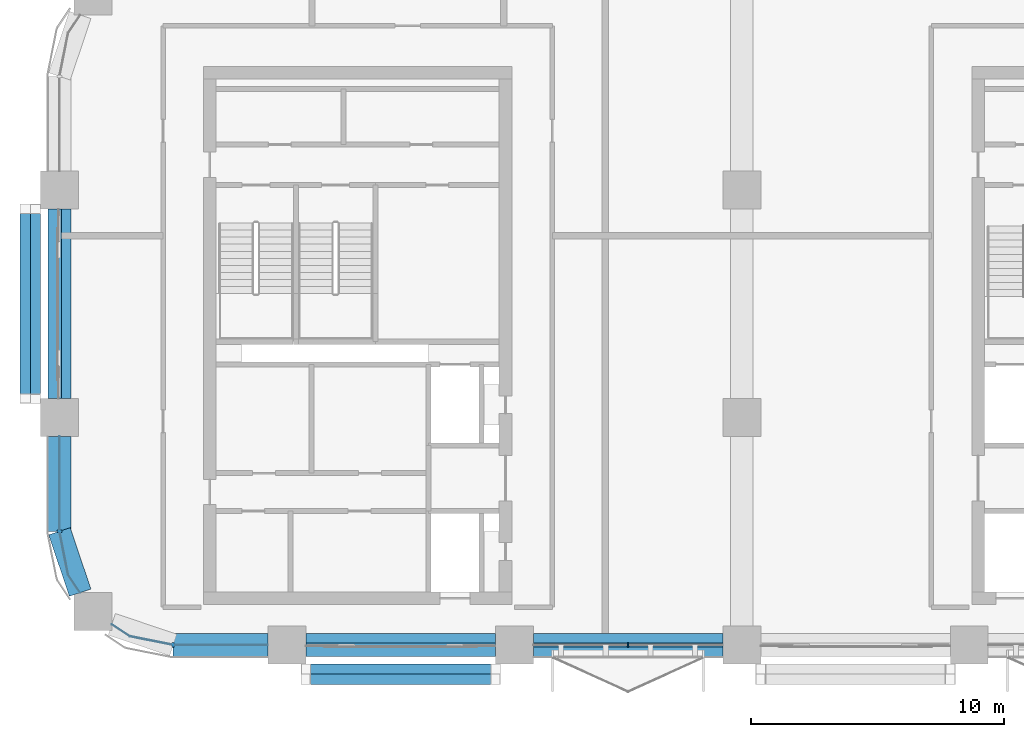
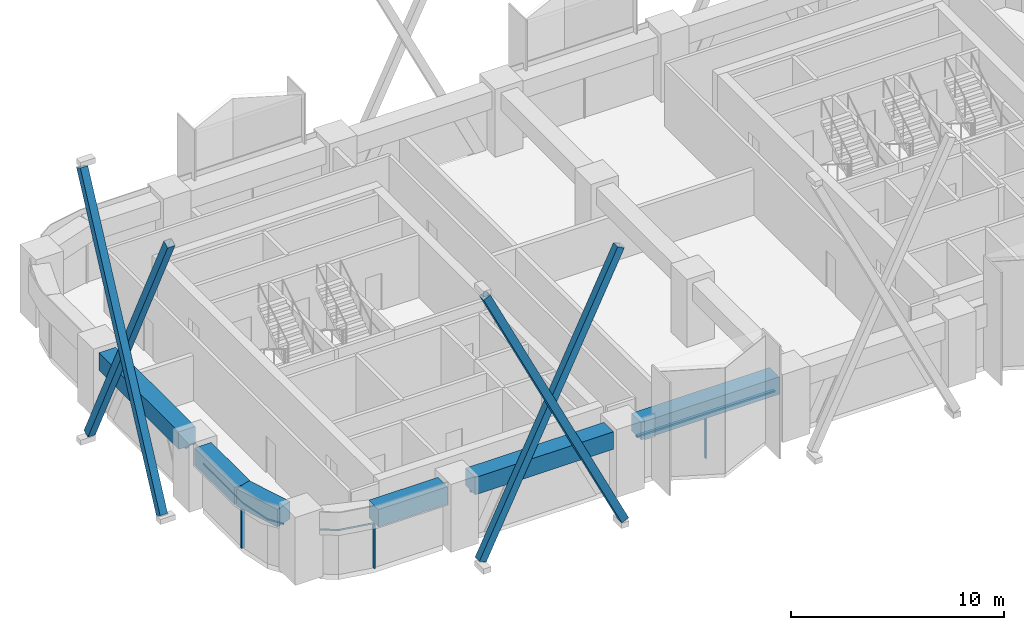
# One storey, part 2 of 14: 12 members, 6 beams, 5 elements without a shape of their own.
"""IFC4 building model written with IfcOpenShell, lengths in metres."""

from ifc_helpers import new_model, si_unit, direction, frame, origin, origin_2d, place, context, subcontext, project, spatial, polyline, rectangle, hollow_rectangle, outline, extrude, material, material_profile, profile_set, type_object, element, aggregate, save


model = new_model("IFC4")

# Units and contexts
model_context = context("Model", 3, precision=1e-05, world=origin(), true_north=direction((0.0, 1.0)))
body_context = subcontext(model_context, "Body", "Model", "MODEL_VIEW")
ifc_project = project(units=[si_unit("LENGTHUNIT", "METRE"), si_unit("AREAUNIT", "SQUARE_METRE"), si_unit("VOLUMEUNIT", "CUBIC_METRE"), si_unit("PLANEANGLEUNIT", "RADIAN"), si_unit("MASSUNIT", "GRAM", prefix="KILO")], contexts=[model_context])

# Site, building, storey
site_placement = place(None, origin())
site = spatial("IfcSite", under=ifc_project, at=site_placement, CompositionType="ELEMENT")
building_placement = place(site_placement, origin())
building = spatial("IfcBuilding", under=site, at=building_placement, Name="Tessera Arch", CompositionType="ELEMENT")
storey_placement = place(building_placement, frame((0.0, 0.0, 181.699951171875)))
storey = spatial("IfcBuildingStorey", under=building, at=storey_placement, Name="L43", CompositionType="ELEMENT", Elevation=181.699951171875)

# Members
ifc_material_1 = material(Name="Steel A500 Gr C", Category="steel")
ifc_material_profile_1 = material_profile(ifc_material_1, hollow_rectangle(XDim=0.406494140625, YDim=0.406494140625, WallThickness=0.0146484375, at=origin_2d()), Name="HSS16x16x5/8")
ifc_profile_set_1 = profile_set([ifc_material_profile_1], Name="Steel A500 Gr C")
member_type_1 = type_object("IfcMemberType", Name="Brace HSS16x16x5/8 Steel A500 Gr C", PredefinedType="BRACE", material=ifc_profile_set_1)
for number, where, z_axis, x_axis, name in (
    (1, (-0.953125, 44.25, -0.800048828125), (0.0, -0.437845074659, 0.899050438294), (1.0, 0.0, 0.0), "Brace W0.27-1 A L43-L46"),
    (2, (-1.359619140625, 36.75, -0.800048828125), (0.0, 0.437845074659, 0.899050438294), (-1.0, 0.0, 0.0), "Brace W0.27-1 B L43-L46"),
    (3, (9.75, 26.046875, -0.800048828125), (0.437845074659, 0.0, 0.899050438294), (0.0, 1.0, 0.0), "Brace S27.0-1 A L43-L46"),
    (4, (17.25, 25.640380859375, -0.800048828125), (-0.437845074659, 0.0, 0.899050438294), (0.0, -1.0, 0.0), "Brace S27.0-1 B L43-L46"),
):
    element("IfcMember", number, at=place(storey_placement, frame(where, z_axis=z_axis, x_axis=x_axis)), inside=storey, type_object=member_type_1, Name=name, PredefinedType="BRACE", context=body_context, shape_type="SweptSolid", body=[
        extrude(hollow_rectangle(XDim=0.406494140625, YDim=0.406494140625, WallThickness=0.0146484375, at=origin_2d()), origin(), (0.0, 0.0, 1.0), 17.12939453125),
    ])

# Curtain wall, members
ifc_material_2 = material(Name="CW1 curtain wall")
curtain_wall_type_1 = type_object("IfcCurtainWallType", Name="CW1 curtain wall", PredefinedType="NOTDEFINED", material=ifc_material_2)
curtain_wall_1_placement = place(storey_placement, origin())
curtain_wall_1 = element("IfcCurtainWall", 5, at=curtain_wall_1_placement, inside=storey, type_object=curtain_wall_type_1, Name="CW1 curtain wall S27.0/2 L43", PredefinedType="NOTDEFINED")
ifc_material_3 = material(Name="Anodised aluminium pale metal", Category="aluminium")
ifc_material_profile_2 = material_profile(ifc_material_3, rectangle(XDim=0.159912109375, YDim=0.06005859375, at=origin_2d()), Name="AL 60x160")
ifc_profile_set_2 = profile_set([ifc_material_profile_2], Name="Anodised aluminium pale metal")
member_type_2 = type_object("IfcMemberType", Name="CW1 mullion", PredefinedType="MULLION", material=ifc_profile_set_2)
member_1_placement = place(storey_placement, frame((22.5, 27.0, 0.0), z_axis=(0.0, 0.0, 1.0), x_axis=(0.0, 1.0, 0.0)))
member_1 = element("IfcMember", 6, at=member_1_placement, type_object=member_type_2, Name="CW1 mullion S27.0/2 1", PredefinedType="MULLION", context=body_context, shape_type="SweptSolid", body=[
    extrude(rectangle(XDim=0.159912109375, YDim=0.06005859375, at=origin_2d()), origin(), (0.0, 0.0, 1.0), 2.5),
])
ifc_material_4 = material(Name="Anodised aluminium pale metal", Category="aluminium")
ifc_material_profile_3 = material_profile(ifc_material_4, rectangle(XDim=0.159912109375, YDim=0.10009765625, at=origin_2d()), Name="AL 160x100")
ifc_profile_set_3 = profile_set([ifc_material_profile_3], Name="Anodised aluminium pale metal")
member_type_3 = type_object("IfcMemberType", Name="CW1 transom", PredefinedType="USERDEFINED", material=ifc_profile_set_3)
member_2_placement = place(storey_placement, frame((18.75, 27.0, 2.550048828125), z_axis=(1.0, 0.0, 0.0), x_axis=(0.0, 1.0, 0.0)))
member_2 = element("IfcMember", 7, at=member_2_placement, type_object=member_type_3, Name="CW1 transom S27.0/2 1.1", ObjectType="TRANSOM", PredefinedType="USERDEFINED", context=body_context, shape_type="SweptSolid", body=[
    extrude(rectangle(XDim=0.159912109375, YDim=0.10009765625, at=origin_2d()), origin(), (0.0, 0.0, 1.0), 7.5),
])
aggregate(curtain_wall_1, [member_1, member_2])

# Curtain wall, member
ifc_material_5 = material(Name="CW2 curtain wall")
curtain_wall_type_2 = type_object("IfcCurtainWallType", Name="CW2 curtain wall", PredefinedType="NOTDEFINED", material=ifc_material_5)
curtain_wall_2_placement = place(storey_placement, origin())
curtain_wall_2 = element("IfcCurtainWall", 8, at=curtain_wall_2_placement, inside=storey, type_object=curtain_wall_type_2, Name="CW2 curtain wall W0.27/2 L43", PredefinedType="NOTDEFINED")
ifc_material_6 = material(Name="Anodised aluminium pale metal", Category="aluminium")
ifc_material_profile_4 = material_profile(ifc_material_6, rectangle(XDim=0.199951171875, YDim=0.080078125, at=origin_2d()), Name="AL 80x200")
ifc_profile_set_4 = profile_set([ifc_material_profile_4], Name="Anodised aluminium pale metal")
member_type_4 = type_object("IfcMemberType", Name="CW2 mullion", PredefinedType="MULLION", material=ifc_profile_set_4)
member_3_placement = place(storey_placement, frame((0.0, 31.5, 0.0), z_axis=(0.0, 0.0, 1.0), x_axis=(1.0, 0.0, 0.0)))
member_3 = element("IfcMember", 9, at=member_3_placement, type_object=member_type_4, Name="CW2 mullion W0.27/2 1", PredefinedType="MULLION", context=body_context, shape_type="SweptSolid", body=[
    extrude(rectangle(XDim=0.199951171875, YDim=0.080078125, at=origin_2d()), origin(), (0.0, 0.0, 1.0), 2.5),
])

curtain_wall_3_placement = place(storey_placement, origin())
curtain_wall_3 = element("IfcCurtainWall", 10, at=curtain_wall_3_placement, inside=storey, type_object=curtain_wall_type_2, Name="CW2 curtain wall S27.0/0 L43", PredefinedType="NOTDEFINED")
member_4_placement = place(storey_placement, frame((4.5, 27.0, 0.0), z_axis=(0.0, 0.0, 1.0), x_axis=(0.0, 1.0, 0.0)))
member_4 = element("IfcMember", 11, at=member_4_placement, type_object=member_type_4, Name="CW2 mullion S27.0/0 1", PredefinedType="MULLION", context=body_context, shape_type="SweptSolid", body=[
    extrude(rectangle(XDim=0.199951171875, YDim=0.080078125, at=origin_2d()), origin(), (0.0, 0.0, 1.0), 2.5),
])

# Member
ifc_material_7 = material(Name="Anodised aluminium pale metal", Category="aluminium")
ifc_material_profile_5 = material_profile(ifc_material_7, rectangle(XDim=0.199951171875, YDim=0.10009765625, at=origin_2d()), Name="AL 200x100")
ifc_profile_set_5 = profile_set([ifc_material_profile_5], Name="Anodised aluminium pale metal")
member_type_5 = type_object("IfcMemberType", Name="CW2 transom", PredefinedType="USERDEFINED", material=ifc_profile_set_5)
member_5_placement = place(storey_placement, frame((0.0, 0.0, 2.5)))
member_5 = element("IfcMember", 12, at=member_5_placement, type_object=member_type_5, Name="CW2 transom W0.27/2 1", ObjectType="TRANSOM", PredefinedType="USERDEFINED", context=body_context, shape_type="SweptSolid", body=[
    extrude(outline(polyline([(0.010009765625, 31.5009765625), (0.010009765625, 35.25), (-0.010009765625, 35.25), (-0.010009765625, 31.4990234375), (0.3330078125, 29.77392578125), (0.80859375, 29.0625), (0.8251953125, 29.073486328125), (0.351806640625, 29.78173828125), (0.010009765625, 31.5009765625)])), origin(), (0.0, 0.0, 1.0), 0.10009765625),
])

aggregate(curtain_wall_2, [member_3, member_5])

member_6_placement = place(storey_placement, frame((0.0, 0.0, 2.5)))
member_6 = element("IfcMember", 13, at=member_6_placement, type_object=member_type_5, Name="CW2 transom S27.0/0 1", ObjectType="TRANSOM", PredefinedType="USERDEFINED", context=body_context, shape_type="SweptSolid", body=[
    extrude(outline(polyline([(2.78173828125, 27.351806640625), (2.073486328125, 27.8251953125), (2.0625, 27.80859375), (2.77392578125, 27.3330078125), (4.4990234375, 26.989990234375), (8.25, 26.989990234375), (8.25, 27.010009765625), (4.5009765625, 27.010009765625), (2.78173828125, 27.351806640625)])), origin(), (0.0, 0.0, 1.0), 0.10009765625),
])

aggregate(curtain_wall_3, [member_4, member_6])

# Curtain wall, member
ifc_material_8 = material(Name="CW3 curtain wall")
curtain_wall_type_3 = type_object("IfcCurtainWallType", Name="CW3 curtain wall", PredefinedType="NOTDEFINED", material=ifc_material_8)
curtain_wall_4_placement = place(storey_placement, origin())
curtain_wall_4 = element("IfcCurtainWall", 14, at=curtain_wall_4_placement, inside=storey, type_object=curtain_wall_type_3, Name="CW3 curtain wall W0.27/1 L43", PredefinedType="NOTDEFINED")
ifc_material_9 = material(Name="Anodised aluminium pale metal", Category="aluminium")
ifc_material_profile_6 = material_profile(ifc_material_9, rectangle(XDim=0.139892578125, YDim=0.10009765625, at=origin_2d()), Name="AL 140x100")
ifc_profile_set_6 = profile_set([ifc_material_profile_6], Name="Anodised aluminium pale metal")
member_type_6 = type_object("IfcMemberType", Name="CW3 transom", PredefinedType="USERDEFINED", material=ifc_profile_set_6)
member_7_placement = place(storey_placement, frame((0.0, 44.25, 2.550048828125), z_axis=(0.0, -1.0, 0.0), x_axis=(1.0, 0.0, 0.0)))
member_7 = element("IfcMember", 15, at=member_7_placement, type_object=member_type_6, Name="CW3 transom W0.27/1 1.1", ObjectType="TRANSOM", PredefinedType="USERDEFINED", context=body_context, shape_type="SweptSolid", body=[
    extrude(rectangle(XDim=0.139892578125, YDim=0.10009765625, at=origin_2d()), origin(), (0.0, 0.0, 1.0), 7.5),
])
aggregate(curtain_wall_4, [member_7])

curtain_wall_5_placement = place(storey_placement, origin())
curtain_wall_5 = element("IfcCurtainWall", 16, at=curtain_wall_5_placement, inside=storey, type_object=curtain_wall_type_3, Name="CW3 curtain wall S27.0/1 L43", PredefinedType="NOTDEFINED")
member_8_placement = place(storey_placement, frame((9.75, 27.0, 2.550048828125), z_axis=(1.0, 0.0, 0.0), x_axis=(0.0, 1.0, 0.0)))
member_8 = element("IfcMember", 17, at=member_8_placement, type_object=member_type_6, Name="CW3 transom S27.0/1 1.1", ObjectType="TRANSOM", PredefinedType="USERDEFINED", context=body_context, shape_type="SweptSolid", body=[
    extrude(rectangle(XDim=0.139892578125, YDim=0.10009765625, at=origin_2d()), origin(), (0.0, 0.0, 1.0), 7.5),
])
aggregate(curtain_wall_5, [member_8])

# Beams
ifc_material_10 = material(Name="Concrete C70/85", Category="concrete")
ifc_material_profile_7 = material_profile(ifc_material_10, rectangle(XDim=0.89990234375, YDim=1.0, at=origin_2d()), Name="RC spandrel beam 900 x 1000 Concrete C70/85")
ifc_profile_set_7 = profile_set([ifc_material_profile_7], Name="Concrete C70/85")
beam_type = type_object("IfcBeamType", Name="RC spandrel beam 900 x 1000 Concrete C70/85", PredefinedType="BEAM", material=ifc_profile_set_7)
beam_1_placement = place(storey_placement, frame((0.0, 44.25, 3.10009765625), z_axis=(0.0, -1.0, 0.0), x_axis=(1.0, 0.0, 0.0)))
element("IfcBeam", 18, at=beam_1_placement, inside=storey, type_object=beam_type, Name="Spandrel beam L43 W0.27/1", PredefinedType="BEAM", context=body_context, shape_type="SweptSolid", body=[
    extrude(rectangle(XDim=0.89990234375, YDim=1.0, at=origin_2d()), origin(), (0.0, 0.0, 1.0), 7.5),
])
beam_2_placement = place(storey_placement, frame((0.0, 35.25, 3.10009765625), z_axis=(0.0, -1.0, 0.0), x_axis=(1.0, 0.0, 0.0)))
element("IfcBeam", 19, at=beam_2_placement, inside=storey, type_object=beam_type, Name="Spandrel beam L43 W0.27/2.1", PredefinedType="BEAM", context=body_context, shape_type="SweptSolid", body=[
    extrude(rectangle(XDim=0.89990234375, YDim=1.0, at=origin_2d()), origin(), (0.0, 0.0, 1.0), 3.75),
])
beam_3_placement = place(storey_placement, frame((0.0, 31.5, 3.10009765625), z_axis=(0.31842525032, -0.947947973234, 0.0), x_axis=(0.947947973234, 0.31842525032, 0.0)))
element("IfcBeam", 20, at=beam_3_placement, inside=storey, type_object=beam_type, Name="Spandrel beam L43 W0.27/2.2", PredefinedType="BEAM", context=body_context, shape_type="SweptSolid", body=[
    extrude(rectangle(XDim=0.89990234375, YDim=1.0, at=origin_2d()), origin(), (0.0, 0.0, 1.0), 2.5654296875),
])
beam_4_placement = place(storey_placement, frame((4.5, 27.0, 3.10009765625), z_axis=(1.0, 0.0, 0.0), x_axis=(0.0, 1.0, 0.0)))
element("IfcBeam", 21, at=beam_4_placement, inside=storey, type_object=beam_type, Name="Spandrel beam L43 S27.0/0.2", PredefinedType="BEAM", context=body_context, shape_type="SweptSolid", body=[
    extrude(rectangle(XDim=0.89990234375, YDim=1.0, at=origin_2d()), origin(), (0.0, 0.0, 1.0), 3.75),
])
for number, where, z_axis, x_axis, name in (
    (22, (9.75, 27.0, 3.10009765625), (1.0, 0.0, 0.0), (0.0, 1.0, 0.0), "Spandrel beam L43 S27.0/1"),
    (23, (18.75, 27.0, 3.10009765625), (1.0, 0.0, 0.0), (0.0, 1.0, 0.0), "Spandrel beam L43 S27.0/2"),
):
    element("IfcBeam", number, at=place(storey_placement, frame(where, z_axis=z_axis, x_axis=x_axis)), inside=storey, type_object=beam_type, Name=name, PredefinedType="BEAM", context=body_context, shape_type="SweptSolid", body=[
        extrude(rectangle(XDim=0.89990234375, YDim=1.0, at=origin_2d()), origin(), (0.0, 0.0, 1.0), 7.5),
    ])

save(model, "model.ifc")
